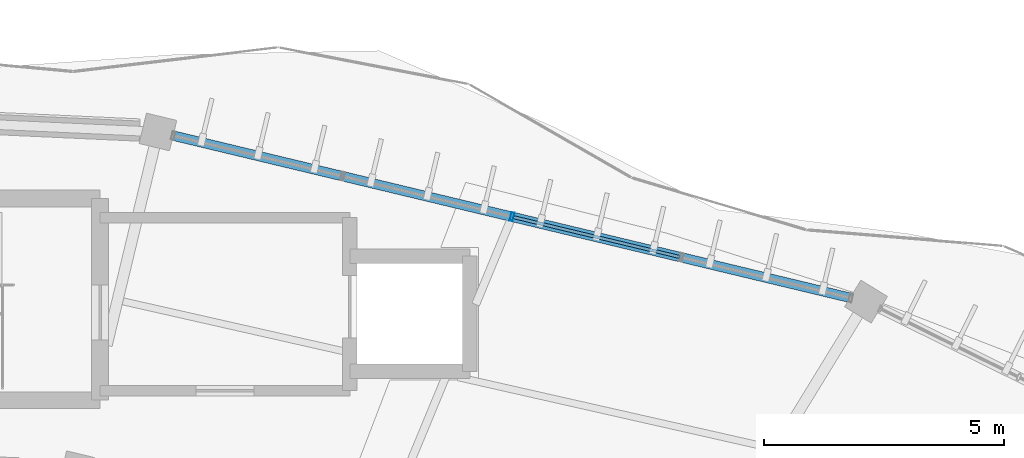
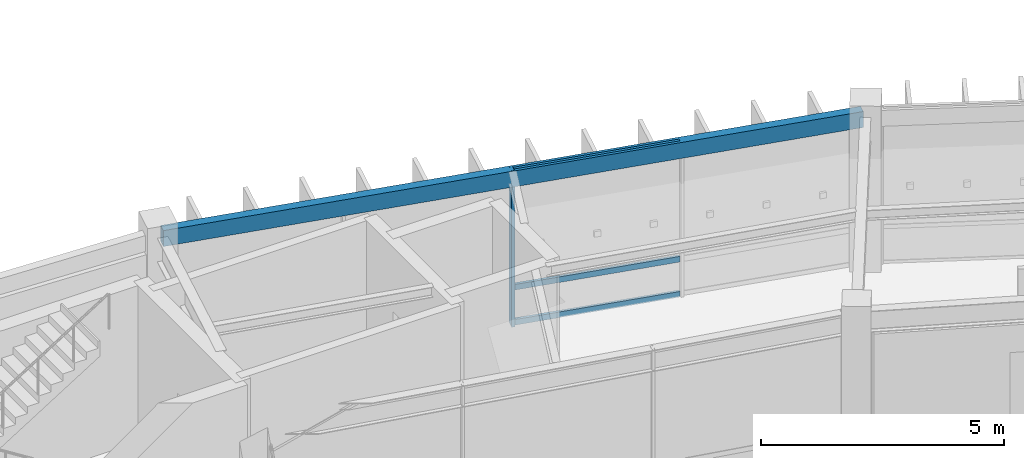
# One storey, part 68 of 114: 4 members, 1 beam, 1 element without a shape of its own.
"""IFC4 building model written with IfcOpenShell, lengths in metres."""

from ifc_helpers import new_model, si_unit, direction, frame, origin, origin_2d, place, context, subcontext, project, spatial, hollow_rectangle, extrude, material, material_profile, profile_set, type_object, element, aggregate, save


model = new_model("IFC4")

# Units and contexts
model_context = context("Model", 3, precision=1e-05, world=origin(), true_north=direction((0.0, 1.0)))
body_context = subcontext(model_context, "Body", "Model", "MODEL_VIEW")
ifc_project = project(units=[si_unit("LENGTHUNIT", "METRE"), si_unit("AREAUNIT", "SQUARE_METRE"), si_unit("VOLUMEUNIT", "CUBIC_METRE"), si_unit("PLANEANGLEUNIT", "RADIAN"), si_unit("MASSUNIT", "GRAM", prefix="KILO"), si_unit("THERMODYNAMICTEMPERATUREUNIT", "KELVIN"), si_unit("POWERUNIT", "WATT")], contexts=[model_context])

# Site, building, storey
site_placement = place(None, origin())
site = spatial("IfcSite", under=ifc_project, at=site_placement, CompositionType="ELEMENT")
building_placement = place(site_placement, origin())
building = spatial("IfcBuilding", under=site, at=building_placement, Name="Darbajah Civic Hall", CompositionType="ELEMENT")
storey_placement = place(building_placement, frame((0.0, 0.0, 13.800048828125)))
storey = spatial("IfcBuildingStorey", under=building, at=storey_placement, Name="L03", CompositionType="ELEMENT", Elevation=13.800048828125)

# Curtain wall, members
ifc_material_1 = material(Name="Anodised Bronze Aluminium and Low-E Glazing", Category="aluminium")
curtain_wall_type = type_object("IfcCurtainWallType", Name="Unitised Curtain Wall CW-40 14500x3900", PredefinedType="USERDEFINED", material=ifc_material_1)
curtain_wall_placement = place(storey_placement, origin())
curtain_wall = element("IfcCurtainWall", 1, at=curtain_wall_placement, inside=storey, type_object=curtain_wall_type, Name="L03 unitised curtain wall CW-V1O-L03-03", ObjectType="UNITISED CURTAIN WALL", PredefinedType="USERDEFINED")
ifc_material_2 = material(Name="Anodised Bronze Aluminium", Category="aluminium")
ifc_material_profile_1 = material_profile(ifc_material_2, hollow_rectangle(XDim=0.06494140625, YDim=0.179931640625, WallThickness=0.00390625, at=origin_2d()), Name="ALU MULLION 65x180")
ifc_profile_set_1 = profile_set([ifc_material_profile_1], Name="Anodised Bronze Aluminium")
member_type_1 = type_object("IfcMemberType", Name="ALU MULLION 65x180", PredefinedType="MULLION", material=ifc_profile_set_1)
member_1_placement = place(storey_placement, frame((108.376708984375, 116.718994140625, 0.0), z_axis=(0.0, 0.0, 1.0), x_axis=(-0.972492018808, 0.232936200179, 0.0)))
member_1 = element("IfcMember", 2, at=member_1_placement, type_object=member_type_1, Name="CW-V1O-L03-03 mullion 3", PredefinedType="MULLION", context=body_context, shape_type="SweptSolid", body=[
    extrude(hollow_rectangle(XDim=0.06494140625, YDim=0.179931640625, WallThickness=0.00390625, at=origin_2d()), origin(), (0.0, 0.0, 1.0), 3.919921875),
])
ifc_material_profile_2 = material_profile(ifc_material_2, hollow_rectangle(XDim=0.06494140625, YDim=0.139892578125, WallThickness=0.00341796875, at=origin_2d()), Name="ALU TRANSOM 65x140")
ifc_profile_set_2 = profile_set([ifc_material_profile_2], Name="Anodised Bronze Aluminium")
member_type_2 = type_object("IfcMemberType", Name="ALU TRANSOM 65x140", PredefinedType="USERDEFINED", material=ifc_profile_set_2)
member_2_placement = place(storey_placement, frame((111.866455078125, 115.8828125, 0.070068359375), z_axis=(-0.972477717615, 0.232995898551, 0.0), x_axis=(-0.232995898551, -0.972477717615, 0.0)))
member_2 = element("IfcMember", 3, at=member_2_placement, type_object=member_type_2, Name="CW-V1O-L03-03 transom 2.1", ObjectType="TRANSOM", PredefinedType="USERDEFINED", context=body_context, shape_type="SweptSolid", body=[
    extrude(hollow_rectangle(XDim=0.06494140625, YDim=0.139892578125, WallThickness=0.00341796875, at=origin_2d()), origin(), (0.0, 0.0, 1.0), 3.551025390625),
])
member_3_placement = place(storey_placement, frame((111.866455078125, 115.8828125, 0.949951171875), z_axis=(-0.972477717615, 0.232995898551, 0.0), x_axis=(-0.232995898551, -0.972477717615, 0.0)))
member_3 = element("IfcMember", 4, at=member_3_placement, type_object=member_type_2, Name="CW-V1O-L03-03 transom 2.2", ObjectType="TRANSOM", PredefinedType="USERDEFINED", context=body_context, shape_type="SweptSolid", body=[
    extrude(hollow_rectangle(XDim=0.06494140625, YDim=0.139892578125, WallThickness=0.00341796875, at=origin_2d()), origin(), (0.0, 0.0, 1.0), 3.551025390625),
])
member_4_placement = place(storey_placement, frame((111.866455078125, 115.8828125, 3.849853515625), z_axis=(-0.972477717615, 0.232995898551, 0.0), x_axis=(-0.232995898551, -0.972477717615, 0.0)))
member_4 = element("IfcMember", 5, at=member_4_placement, type_object=member_type_2, Name="CW-V1O-L03-03 transom 2.3", ObjectType="TRANSOM", PredefinedType="USERDEFINED", context=body_context, shape_type="SweptSolid", body=[
    extrude(hollow_rectangle(XDim=0.06494140625, YDim=0.139892578125, WallThickness=0.00341796875, at=origin_2d()), origin(), (0.0, 0.0, 1.0), 3.551025390625),
])
aggregate(curtain_wall, [member_1, member_2, member_3, member_4])

# Beam
ifc_material_3 = material(Name="Steel S355JR", Category="steel")
ifc_material_profile_3 = material_profile(ifc_material_3, hollow_rectangle(XDim=0.199951171875, YDim=0.39990234375, WallThickness=0.013916015625, at=origin_2d()), Name="RHS 400x200x14")
ifc_profile_set_3 = profile_set([ifc_material_profile_3], Name="Steel S355JR")
beam_type = type_object("IfcBeamType", Name="RHS 400x200x14", PredefinedType="SPANDREL", material=ifc_profile_set_3)
beam_placement = place(storey_placement, frame((115.669677734375, 114.971435546875, 3.719970703125), z_axis=(-0.972475144086, 0.233006639679, 0.0), x_axis=(-0.233006639679, -0.972475144086, 0.0)))
element("IfcBeam", 6, at=beam_placement, inside=storey, type_object=beam_type, Name="L03 beam SP-RHS400", PredefinedType="SPANDREL", context=body_context, shape_type="SweptSolid", body=[
    extrude(hollow_rectangle(XDim=0.199951171875, YDim=0.39990234375, WallThickness=0.013916015625, at=origin_2d()), origin(), (0.0, 0.0, 1.0), 14.9990234375),
])

save(model, "model.ifc")
